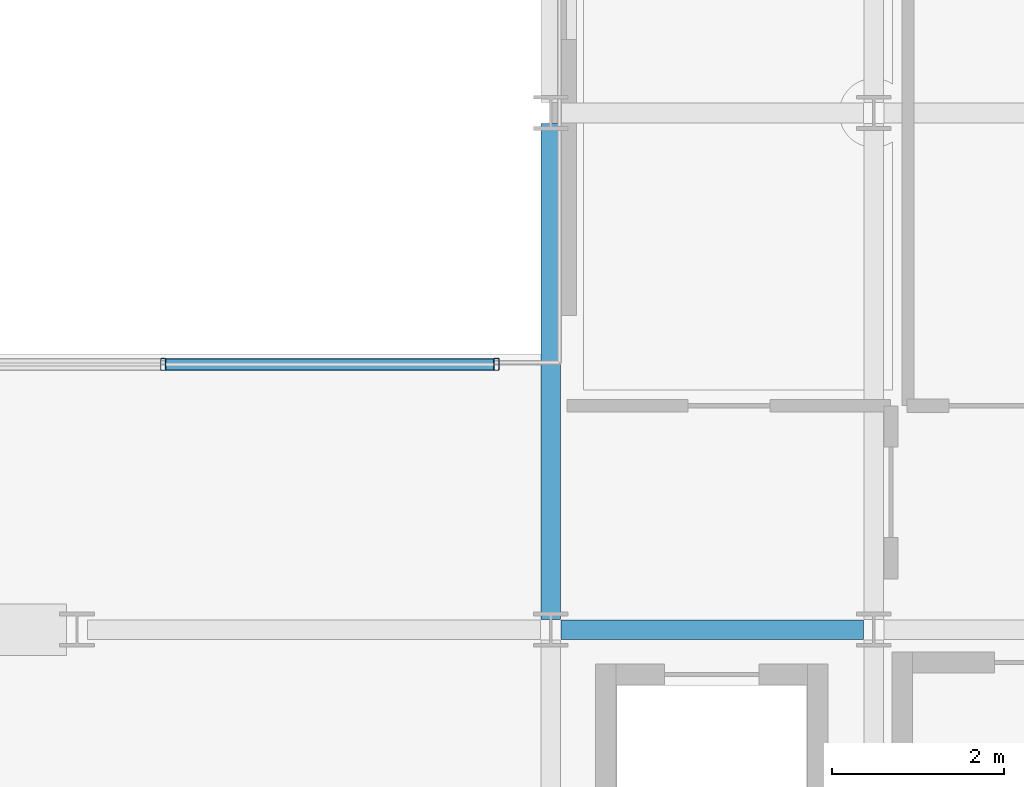
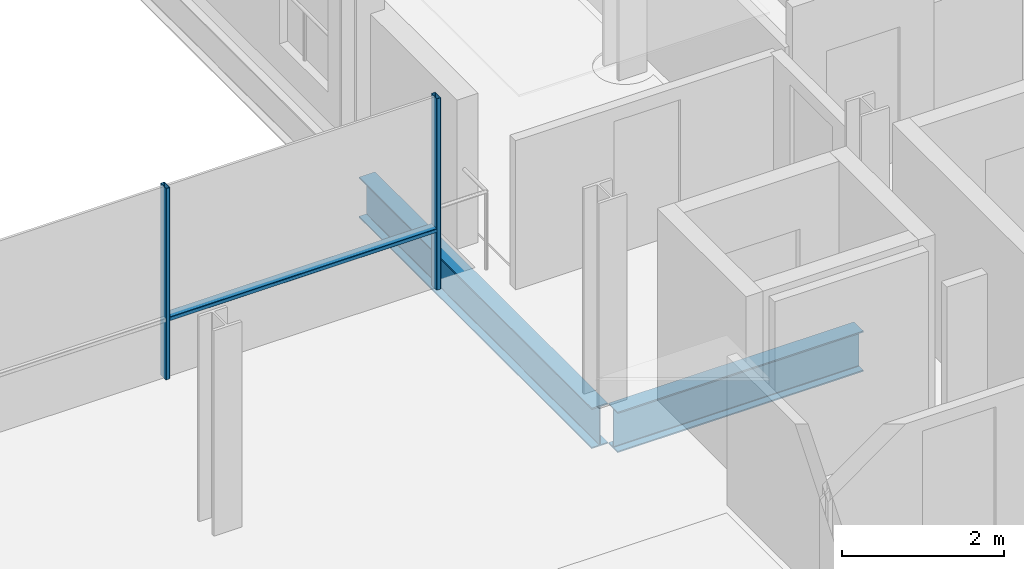
# One storey, part 15 of 41: 3 members, 2 beams, 1 element without a shape of its own.
"""IFC4 building model written with IfcOpenShell, lengths in metres."""

from ifc_helpers import new_model, si_unit, direction, frame, origin, origin_2d, place, context, subcontext, project, spatial, hollow_rectangle, i_section, extrude, material, layer, layer_set, material_profile, profile_set, type_object, element, aggregate, save


model = new_model("IFC4")

# Units and contexts
model_context = context("Model", 3, precision=1e-05, world=origin(), true_north=direction((0.0, 1.0)))
body_context = subcontext(model_context, "Body", "Model", "MODEL_VIEW")
ifc_project = project(units=[si_unit("LENGTHUNIT", "METRE"), si_unit("AREAUNIT", "SQUARE_METRE"), si_unit("VOLUMEUNIT", "CUBIC_METRE"), si_unit("PLANEANGLEUNIT", "RADIAN"), si_unit("MASSUNIT", "GRAM", prefix="KILO")], contexts=[model_context])

# Site, building, storey
site_placement = place(None, origin())
site = spatial("IfcSite", under=ifc_project, at=site_placement, CompositionType="ELEMENT")
building_placement = place(site_placement, origin())
building = spatial("IfcBuilding", under=site, at=building_placement, Name="Brevholm Reach", CompositionType="ELEMENT")
storey_placement = place(building_placement, frame((0.0, 0.0, 169.699951171875)))
storey = spatial("IfcBuildingStorey", under=building, at=storey_placement, Name="L51", CompositionType="ELEMENT", Elevation=169.699951171875)

# Beams
ifc_material_1 = material(Name="Structural Steel S355J2", Category="steel")
ifc_material_profile_1 = material_profile(ifc_material_1, i_section(OverallWidth=0.22900390625, OverallDepth=0.6123046875, WebThickness=0.011962890625, FlangeThickness=0.01953125, FilletRadius=0.0126953125, at=origin_2d()), Name="UKB 610x229x125")
ifc_profile_set_1 = profile_set([ifc_material_profile_1], Name="Structural Steel S355J2")
beam_type = type_object("IfcBeamType", Name="BM-SP610", PredefinedType="SPANDREL", material=ifc_profile_set_1)
beam_1_placement = place(storey_placement, frame((38.3701171875, 10.0, -0.526123046875), z_axis=(1.0, 0.0, 0.0), x_axis=(0.0, 1.0, 0.0)))
element("IfcBeam", 1, at=beam_1_placement, inside=storey, type_object=beam_type, Name="L51 SP-01 Framing Beam", PredefinedType="SPANDREL", context=body_context, shape_type="SweptSolid", body=[
    extrude(i_section(OverallWidth=0.22900390625, OverallDepth=0.6123046875, WebThickness=0.011962890625, FlangeThickness=0.01953125, FilletRadius=0.0126953125, at=origin_2d()), origin(), (0.0, 0.0, 1.0), 3.509765625),
])
beam_2_placement = place(storey_placement, frame((38.25, 10.1201171875, -0.526123046875), z_axis=(0.0, 1.0, 0.0), x_axis=(-1.0, 0.0, 0.0)))
element("IfcBeam", 2, at=beam_2_placement, inside=storey, type_object=beam_type, Name="L51 SP-01 Framing Beam", PredefinedType="SPANDREL", context=body_context, shape_type="SweptSolid", body=[
    extrude(i_section(OverallWidth=0.22900390625, OverallDepth=0.6123046875, WebThickness=0.011962890625, FlangeThickness=0.01953125, FilletRadius=0.0126953125, at=origin_2d()), origin(), (0.0, 0.0, 1.0), 5.759765625),
])

# Curtain wall, members
ifc_material_2 = material(Name="Dark Anodised Aluminium 6063-T6 and Solar-Control Glass", Category="aluminium")
ifc_layer = layer(ifc_material_2, 0.139892578125)
ifc_layer_set = layer_set([ifc_layer], Name="Dark Anodised Aluminium 6063-T6 and Solar-Control Glass")
curtain_wall_type = type_object("IfcCurtainWallType", Name="CW-02", PredefinedType="NOTDEFINED", material=ifc_layer_set)
curtain_wall_placement = place(storey_placement, origin())
curtain_wall = element("IfcCurtainWall", 3, at=curtain_wall_placement, inside=storey, type_object=curtain_wall_type, Name="L51 Curtain Wall CW-02", PredefinedType="NOTDEFINED")
ifc_material_3 = material(Name="Dark Anodised Aluminium 6063-T6", Category="aluminium")
ifc_material_profile_2 = material_profile(ifc_material_3, hollow_rectangle(XDim=0.06005859375, YDim=0.139892578125, WallThickness=0.0048828125, InnerFilletRadius=0.0048828125, OuterFilletRadius=0.010009765625, at=origin_2d()), Name="RHS 140x60x5")
ifc_profile_set_2 = profile_set([ifc_material_profile_2], Name="Dark Anodised Aluminium 6063-T6")
member_type_1 = type_object("IfcMemberType", Name="CWM-140", PredefinedType="MULLION", material=ifc_profile_set_2)
member_1_placement = place(storey_placement, frame((33.75, 13.080078125, 0.0), z_axis=(0.0, 0.0, 1.0), x_axis=(1.0, 0.0, 0.0)))
member_1 = element("IfcMember", 4, at=member_1_placement, type_object=member_type_1, Name="CM-140 Mullion 4", PredefinedType="MULLION", context=body_context, shape_type="SweptSolid", body=[
    extrude(hollow_rectangle(XDim=0.06005859375, YDim=0.139892578125, WallThickness=0.0048828125, InnerFilletRadius=0.0048828125, OuterFilletRadius=0.010009765625, at=origin_2d()), origin(), (0.0, 0.0, 1.0), 2.89013671875),
])
member_2_placement = place(storey_placement, frame((37.6201171875, 13.080078125, 0.0), z_axis=(0.0, 0.0, 1.0), x_axis=(1.0, 0.0, 0.0)))
member_2 = element("IfcMember", 5, at=member_2_placement, type_object=member_type_1, Name="CM-140 Mullion 5", PredefinedType="MULLION", context=body_context, shape_type="SweptSolid", body=[
    extrude(hollow_rectangle(XDim=0.06005859375, YDim=0.139892578125, WallThickness=0.0048828125, InnerFilletRadius=0.0048828125, OuterFilletRadius=0.010009765625, at=origin_2d()), origin(), (0.0, 0.0, 1.0), 2.89013671875),
])
ifc_material_4 = material(Name="Dark Anodised Aluminium 6063-T6", Category="aluminium")
ifc_material_profile_3 = material_profile(ifc_material_4, hollow_rectangle(XDim=0.06005859375, YDim=0.139892578125, WallThickness=0.0048828125, InnerFilletRadius=0.0048828125, OuterFilletRadius=0.010009765625, at=origin_2d()), Name="RHS 140x60x5")
ifc_profile_set_3 = profile_set([ifc_material_profile_3], Name="Dark Anodised Aluminium 6063-T6")
member_type_2 = type_object("IfcMemberType", Name="CWT-140", PredefinedType="NOTDEFINED", material=ifc_profile_set_3)
member_3_placement = place(storey_placement, frame((33.780029296875, 13.080078125, 0.900146484375), z_axis=(1.0, 0.0, 0.0), x_axis=(0.0, 0.0, 1.0)))
member_3 = element("IfcMember", 6, at=member_3_placement, type_object=member_type_2, Name="CT-140 Transom 4.1", ObjectType="TRANSOM", PredefinedType="USERDEFINED", context=body_context, shape_type="SweptSolid", body=[
    extrude(hollow_rectangle(XDim=0.06005859375, YDim=0.139892578125, WallThickness=0.0048828125, InnerFilletRadius=0.0048828125, OuterFilletRadius=0.010009765625, at=origin_2d()), origin(), (0.0, 0.0, 1.0), 3.81005859375),
])
aggregate(curtain_wall, [member_1, member_2, member_3])

save(model, "model.ifc")
